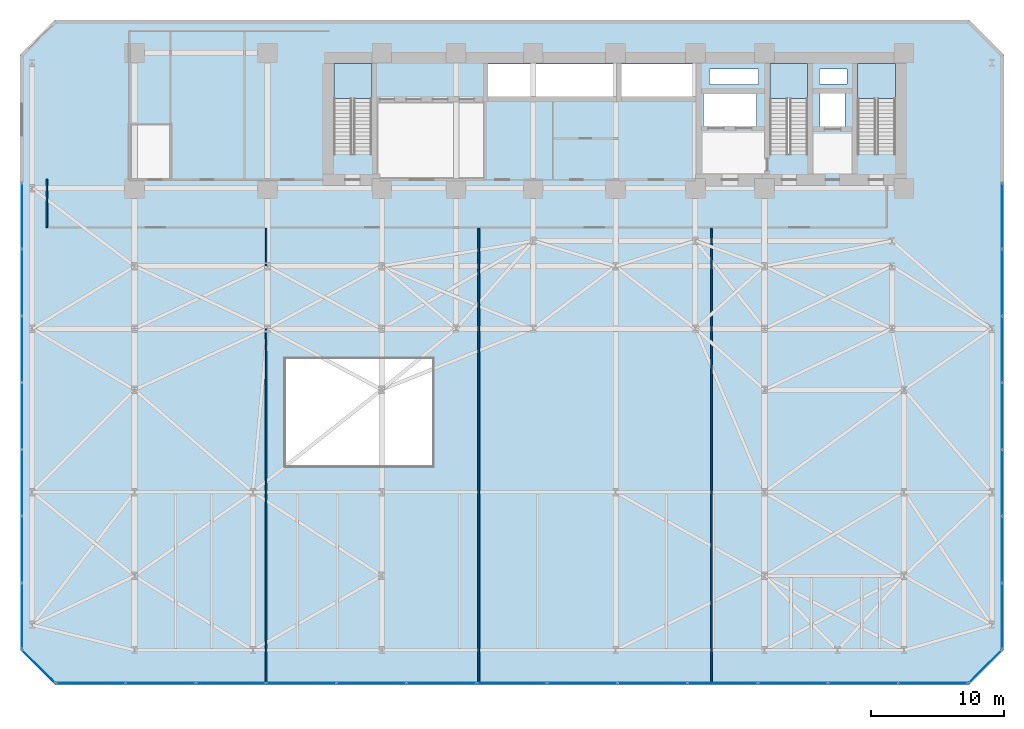
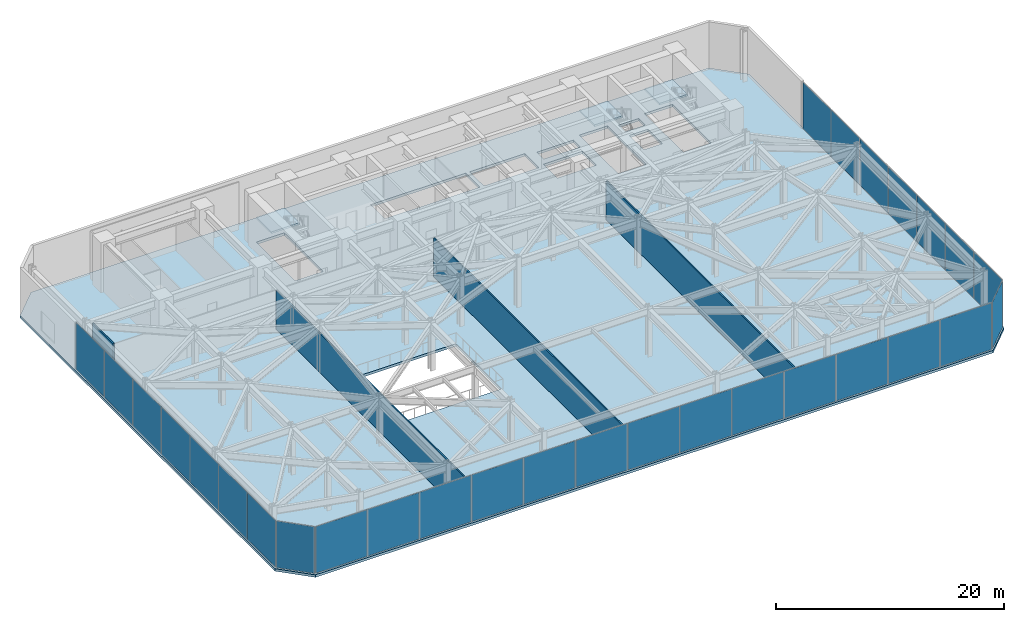
# One storey, part 24 of 29: 29 plates, 4 slabs, 4 walls, 8 elements without a shape of their own.
"""IFC4 building model written with IfcOpenShell, lengths in metres."""

from ifc_helpers import new_model, si_unit, direction, frame, frame_2d, origin, origin_2d, place, context, subcontext, project, spatial, polyline, rectangle, outline, extrude, material, layer, layer_set, type_object, element, aggregate, save


model = new_model("IFC4")

# Units and contexts
model_context = context("Model", 3, precision=1e-05, world=origin(), true_north=direction((0.0, 1.0)))
body_context = subcontext(model_context, "Body", "Model", "MODEL_VIEW")
ifc_project = project(units=[si_unit("LENGTHUNIT", "METRE"), si_unit("AREAUNIT", "SQUARE_METRE"), si_unit("VOLUMEUNIT", "CUBIC_METRE"), si_unit("PLANEANGLEUNIT", "RADIAN"), si_unit("MASSUNIT", "GRAM", prefix="KILO")], contexts=[model_context])

# Site, building, storey
site_placement = place(None, origin())
site = spatial("IfcSite", under=ifc_project, at=site_placement, CompositionType="ELEMENT")
building_placement = place(site_placement, origin())
building = spatial("IfcBuilding", under=site, at=building_placement, Name="Kravanh Interchange Tower", CompositionType="ELEMENT")
storey_placement = place(building_placement, frame((0.0, 0.0, 5.39990234375)))
storey = spatial("IfcBuildingStorey", under=building, at=storey_placement, Name="L01", CompositionType="ELEMENT", Elevation=5.39990234375)

# Slab
ifc_material_1 = material(Name="Concrete C50/60", Category="concrete")
ifc_layer_1 = layer(ifc_material_1, 0.27001953125)
ifc_layer_set_1 = layer_set([ifc_layer_1], Name="Composite Floor Slab Concrete C50/60 270mm")
slab_type_1 = type_object("IfcSlabType", Name="Composite Floor Slab Concrete C50/60 270mm", PredefinedType="FLOOR", material=ifc_layer_set_1)
slab_1_placement = place(storey_placement, frame((0.0, 0.0, -0.27001953125)))
element("IfcSlab", 1, at=slab_1_placement, inside=storey, type_object=slab_type_1, Name="L01 Structural Floor Slab", PredefinedType="FLOOR", context=body_context, shape_type="SweptSolid", body=[
    extrude(outline(polyline([(0.0, 2.60009765625), (2.60009765625, 0.0), (71.39990234375, 0.0), (74.0, 2.60009765625), (74.0, 47.39990234375), (71.39990234375, 50.0), (2.60009765625, 50.0), (0.0, 47.39990234375), (0.0, 2.60009765625)]), holes=[polyline([(65.85009765625, 39.925048828125), (65.85009765625, 46.75), (63.0, 46.75), (63.0, 39.925048828125), (65.85009765625, 39.925048828125)]), polyline([(59.25, 39.925048828125), (59.25, 46.75), (56.39990234375, 46.75), (56.39990234375, 39.925048828125), (59.25, 39.925048828125)]), polyline([(26.449951171875, 39.925048828125), (26.449951171875, 46.75), (23.60009765625, 46.75), (23.60009765625, 39.925048828125), (26.449951171875, 39.925048828125)]), polyline([(35.179931640625, 44.219970703125), (44.840087890625, 44.219970703125), (44.840087890625, 46.699951171875), (35.179931640625, 46.699951171875), (35.179931640625, 44.219970703125)]), polyline([(45.239990234375, 44.219970703125), (50.840087890625, 44.219970703125), (50.840087890625, 46.699951171875), (45.239990234375, 46.699951171875), (45.239990234375, 44.219970703125)]), polyline([(51.419921875, 42.02001953125), (55.3798828125, 42.02001953125), (55.3798828125, 44.47998046875), (51.419921875, 44.47998046875), (51.419921875, 42.02001953125)]), polyline([(60.179931640625, 41.97998046875), (62.06005859375, 41.97998046875), (62.06005859375, 44.52001953125), (60.179931640625, 44.52001953125), (60.179931640625, 41.97998046875)]), polyline([(20.0, 16.5), (31.0, 16.5), (31.0, 24.5), (20.0, 24.5), (20.0, 16.5)]), polyline([(60.14990234375, 45.199951171875), (62.199951171875, 45.199951171875), (62.199951171875, 46.35009765625), (60.14990234375, 46.35009765625), (60.14990234375, 45.199951171875)]), polyline([(51.85009765625, 45.14990234375), (55.550048828125, 45.14990234375), (55.550048828125, 46.35009765625), (51.85009765625, 46.35009765625), (51.85009765625, 45.14990234375)])]), origin(), (0.0, 0.0, 1.0), 0.27001953125),
])

# Stair, slab
ifc_material_2 = material(Name="Concrete C50/60", Category="concrete")
stair_type = type_object("IfcStairType", Name="Core Fire Exit Dogleg Stair Concrete C50/60", PredefinedType="HALF_TURN_STAIR", material=ifc_material_2)
stair_1_placement = place(storey_placement, origin())
stair_1 = element("IfcStair", 2, at=stair_1_placement, inside=storey, type_object=stair_type, Name="L01 Exit Stair ST1", PredefinedType="HALF_TURN_STAIR")
ifc_material_3 = material(Name="Concrete C50/60", Category="concrete")
ifc_layer_2 = layer(ifc_material_3, 0.199951171875)
ifc_layer_set_2 = layer_set([ifc_layer_2], Name="Concrete C50/60 Stair Half-Landing Slab 200mm")
slab_type_2 = type_object("IfcSlabType", Name="Concrete C50/60 Stair Half-Landing Slab 200mm", PredefinedType="LANDING", material=ifc_layer_set_2)
slab_2_placement = place(storey_placement, frame((0.0, 0.0, 2.5)))
slab_2 = element("IfcSlab", 3, at=slab_2_placement, type_object=slab_type_2, Name="ST1 landing 1", PredefinedType="LANDING", context=body_context, shape_type="SweptSolid", body=[
    extrude(outline(polyline([(65.85009765625, 44.10009765625), (65.85009765625, 46.75), (63.0, 46.75), (63.0, 44.10009765625), (65.85009765625, 44.10009765625)])), origin(), (0.0, 0.0, 1.0), 0.2001953125),
])
aggregate(stair_1, [slab_2])

stair_2_placement = place(storey_placement, origin())
stair_2 = element("IfcStair", 4, at=stair_2_placement, inside=storey, type_object=stair_type, Name="L01 Exit Stair ST2", PredefinedType="HALF_TURN_STAIR")
slab_3_placement = place(storey_placement, frame((0.0, 0.0, 2.5)))
slab_3 = element("IfcSlab", 5, at=slab_3_placement, type_object=slab_type_2, Name="ST2 landing 1", PredefinedType="LANDING", context=body_context, shape_type="SweptSolid", body=[
    extrude(outline(polyline([(59.25, 44.10009765625), (59.25, 46.75), (56.39990234375, 46.75), (56.39990234375, 44.10009765625), (59.25, 44.10009765625)])), origin(), (0.0, 0.0, 1.0), 0.2001953125),
])
aggregate(stair_2, [slab_3])

stair_3_placement = place(storey_placement, origin())
stair_3 = element("IfcStair", 6, at=stair_3_placement, inside=storey, type_object=stair_type, Name="L01 Exit Stair ST3", PredefinedType="HALF_TURN_STAIR")
slab_4_placement = place(storey_placement, frame((0.0, 0.0, 2.5)))
slab_4 = element("IfcSlab", 7, at=slab_4_placement, type_object=slab_type_2, Name="ST3 landing 1", PredefinedType="LANDING", context=body_context, shape_type="SweptSolid", body=[
    extrude(outline(polyline([(26.449951171875, 44.10009765625), (26.449951171875, 46.75), (23.60009765625, 46.75), (23.60009765625, 44.10009765625), (26.449951171875, 44.10009765625)])), origin(), (0.0, 0.0, 1.0), 0.2001953125),
])
aggregate(stair_3, [slab_4])

# Curtain wall, plates
ifc_material_4 = material(Name="Anodised Bronze Aluminium", Category="aluminium")
ifc_layer_3 = layer(ifc_material_4, 0.179931640625)
ifc_layer_set_3 = layer_set([ifc_layer_3], Name="Unitised Curtain Wall System CW-POD Podium Concourse")
curtain_wall_type = type_object("IfcCurtainWallType", Name="Unitised Curtain Wall System CW-POD Podium Concourse", PredefinedType="NOTDEFINED", material=ifc_layer_set_3)
curtain_wall_1_placement = place(storey_placement, origin())
curtain_wall_1 = element("IfcCurtainWall", 8, at=curtain_wall_1_placement, inside=storey, type_object=curtain_wall_type, Name="L01 Unitised Curtain Wall CW-L01-01", PredefinedType="NOTDEFINED")
ifc_material_5 = material(Name="Low-E Laminated Architectural Glass", Category="glass")
ifc_layer_4 = layer(ifc_material_5, 0.031982421875)
ifc_layer_set_4 = layer_set([ifc_layer_4], Name="Low-E Laminated Glazing 32mm")
plate_type = type_object("IfcPlateType", Name="Low-E Laminated Glazing 32mm", PredefinedType="CURTAIN_PANEL", material=ifc_layer_set_4)
plate_1_placement = place(storey_placement, frame((0.1201171875, 5.177978515625, 0.06005859375), z_axis=(0.0, 0.0, 1.0), x_axis=(0.0, 1.0, 0.0)))
plate_1 = element("IfcPlate", 9, at=plate_1_placement, type_object=plate_type, Name="CW-POD panel 1.1", PredefinedType="CURTAIN_PANEL", context=body_context, shape_type="SweptSolid", body=[
    extrude(rectangle(XDim=4.91650390625, YDim=0.031982421875, at=origin_2d()), origin(), (0.0, 0.0, 1.0), 5.010009765625),
])
plate_2_placement = place(storey_placement, frame((0.1201171875, 10.181884765625, 0.06005859375), z_axis=(0.0, 0.0, 1.0), x_axis=(0.0, 1.0, 0.0)))
plate_2 = element("IfcPlate", 10, at=plate_2_placement, type_object=plate_type, Name="CW-POD panel 2.1", PredefinedType="CURTAIN_PANEL", context=body_context, shape_type="SweptSolid", body=[
    extrude(rectangle(XDim=4.951416015625, YDim=0.031982421875, at=origin_2d()), origin(), (0.0, 0.0, 1.0), 5.010009765625),
])
plate_3_placement = place(storey_placement, frame((0.1201171875, 15.203369140625, 0.06005859375), z_axis=(0.0, 0.0, 1.0), x_axis=(0.0, 1.0, 0.0)))
plate_3 = element("IfcPlate", 11, at=plate_3_placement, type_object=plate_type, Name="CW-POD panel 3.1", PredefinedType="CURTAIN_PANEL", context=body_context, shape_type="SweptSolid", body=[
    extrude(rectangle(XDim=4.951416015625, YDim=0.031982421875, at=origin_2d()), origin(), (0.0, 0.0, 1.0), 5.010009765625),
])
plate_4_placement = place(storey_placement, frame((0.1201171875, 20.224853515625, 0.06005859375), z_axis=(0.0, 0.0, 1.0), x_axis=(0.0, 1.0, 0.0)))
plate_4 = element("IfcPlate", 12, at=plate_4_placement, type_object=plate_type, Name="CW-POD panel 4.1", PredefinedType="CURTAIN_PANEL", context=body_context, shape_type="SweptSolid", body=[
    extrude(rectangle(XDim=4.951416015625, YDim=0.031982421875, at=origin_2d()), origin(), (0.0, 0.0, 1.0), 5.010009765625),
])
plate_5_placement = place(storey_placement, frame((0.1201171875, 25.246337890625, 0.06005859375), z_axis=(0.0, 0.0, 1.0), x_axis=(0.0, 1.0, 0.0)))
plate_5 = element("IfcPlate", 13, at=plate_5_placement, type_object=plate_type, Name="CW-POD panel 5.1", PredefinedType="CURTAIN_PANEL", context=body_context, shape_type="SweptSolid", body=[
    extrude(rectangle(XDim=4.951416015625, YDim=0.031982421875, at=origin_2d()), origin(), (0.0, 0.0, 1.0), 5.010009765625),
])
plate_6_placement = place(storey_placement, frame((0.1201171875, 30.267822265625, 0.06005859375), z_axis=(0.0, 0.0, 1.0), x_axis=(0.0, 1.0, 0.0)))
plate_6 = element("IfcPlate", 14, at=plate_6_placement, type_object=plate_type, Name="CW-POD panel 6.1", PredefinedType="CURTAIN_PANEL", context=body_context, shape_type="SweptSolid", body=[
    extrude(rectangle(XDim=4.951416015625, YDim=0.031982421875, at=origin_2d()), origin(), (0.0, 0.0, 1.0), 5.010009765625),
])
plate_7_placement = place(storey_placement, frame((0.1201171875, 35.271728515625, 0.06005859375), z_axis=(0.0, 0.0, 1.0), x_axis=(0.0, 1.0, 0.0)))
plate_7 = element("IfcPlate", 15, at=plate_7_placement, type_object=plate_type, Name="CW-POD panel 7.1", PredefinedType="CURTAIN_PANEL", context=body_context, shape_type="SweptSolid", body=[
    extrude(rectangle(XDim=4.91650390625, YDim=0.031982421875, at=origin_2d()), origin(), (0.0, 0.0, 1.0), 5.010009765625),
])
aggregate(curtain_wall_1, [plate_1, plate_2, plate_3, plate_4, plate_5, plate_6, plate_7])

curtain_wall_2_placement = place(storey_placement, origin())
curtain_wall_2 = element("IfcCurtainWall", 16, at=curtain_wall_2_placement, inside=storey, type_object=curtain_wall_type, Name="L01 Unitised Curtain Wall CW-L01-02", PredefinedType="NOTDEFINED")
plate_8_placement = place(storey_placement, frame((73.8798828125, 35.271728515625, 0.06005859375), z_axis=(0.0, 0.0, 1.0), x_axis=(0.0, -1.0, 0.0)))
plate_8 = element("IfcPlate", 17, at=plate_8_placement, type_object=plate_type, Name="CW-POD panel 1.1", PredefinedType="CURTAIN_PANEL", context=body_context, shape_type="SweptSolid", body=[
    extrude(rectangle(XDim=4.91650390625, YDim=0.031982421875, at=origin_2d()), origin(), (0.0, 0.0, 1.0), 5.010009765625),
])
plate_9_placement = place(storey_placement, frame((73.8798828125, 30.267822265625, 0.06005859375), z_axis=(0.0, 0.0, 1.0), x_axis=(0.0, -1.0, 0.0)))
plate_9 = element("IfcPlate", 18, at=plate_9_placement, type_object=plate_type, Name="CW-POD panel 2.1", PredefinedType="CURTAIN_PANEL", context=body_context, shape_type="SweptSolid", body=[
    extrude(rectangle(XDim=4.951416015625, YDim=0.031982421875, at=origin_2d()), origin(), (0.0, 0.0, 1.0), 5.010009765625),
])
plate_10_placement = place(storey_placement, frame((73.8798828125, 25.246337890625, 0.06005859375), z_axis=(0.0, 0.0, 1.0), x_axis=(0.0, -1.0, 0.0)))
plate_10 = element("IfcPlate", 19, at=plate_10_placement, type_object=plate_type, Name="CW-POD panel 3.1", PredefinedType="CURTAIN_PANEL", context=body_context, shape_type="SweptSolid", body=[
    extrude(rectangle(XDim=4.951416015625, YDim=0.031982421875, at=origin_2d()), origin(), (0.0, 0.0, 1.0), 5.010009765625),
])
plate_11_placement = place(storey_placement, frame((73.8798828125, 20.224853515625, 0.06005859375), z_axis=(0.0, 0.0, 1.0), x_axis=(0.0, -1.0, 0.0)))
plate_11 = element("IfcPlate", 20, at=plate_11_placement, type_object=plate_type, Name="CW-POD panel 4.1", PredefinedType="CURTAIN_PANEL", context=body_context, shape_type="SweptSolid", body=[
    extrude(rectangle(XDim=4.951416015625, YDim=0.031982421875, at=origin_2d()), origin(), (0.0, 0.0, 1.0), 5.010009765625),
])
plate_12_placement = place(storey_placement, frame((73.8798828125, 15.203369140625, 0.06005859375), z_axis=(0.0, 0.0, 1.0), x_axis=(0.0, -1.0, 0.0)))
plate_12 = element("IfcPlate", 21, at=plate_12_placement, type_object=plate_type, Name="CW-POD panel 5.1", PredefinedType="CURTAIN_PANEL", context=body_context, shape_type="SweptSolid", body=[
    extrude(rectangle(XDim=4.951416015625, YDim=0.031982421875, at=origin_2d()), origin(), (0.0, 0.0, 1.0), 5.010009765625),
])
plate_13_placement = place(storey_placement, frame((73.8798828125, 10.181884765625, 0.06005859375), z_axis=(0.0, 0.0, 1.0), x_axis=(0.0, -1.0, 0.0)))
plate_13 = element("IfcPlate", 22, at=plate_13_placement, type_object=plate_type, Name="CW-POD panel 6.1", PredefinedType="CURTAIN_PANEL", context=body_context, shape_type="SweptSolid", body=[
    extrude(rectangle(XDim=4.951416015625, YDim=0.031982421875, at=origin_2d()), origin(), (0.0, 0.0, 1.0), 5.010009765625),
])
plate_14_placement = place(storey_placement, frame((73.8798828125, 5.177978515625, 0.06005859375), z_axis=(0.0, 0.0, 1.0), x_axis=(0.0, -1.0, 0.0)))
plate_14 = element("IfcPlate", 23, at=plate_14_placement, type_object=plate_type, Name="CW-POD panel 7.1", PredefinedType="CURTAIN_PANEL", context=body_context, shape_type="SweptSolid", body=[
    extrude(rectangle(XDim=4.91650390625, YDim=0.031982421875, at=origin_2d()), origin(), (0.0, 0.0, 1.0), 5.010009765625),
])
aggregate(curtain_wall_2, [plate_8, plate_9, plate_10, plate_11, plate_12, plate_13, plate_14])

# Curtain wall, plate
curtain_wall_3_placement = place(storey_placement, origin())
curtain_wall_3 = element("IfcCurtainWall", 24, at=curtain_wall_3_placement, inside=storey, type_object=curtain_wall_type, Name="L01 Unitised Curtain Wall CW-L01-03", PredefinedType="NOTDEFINED")
plate_15_placement = place(storey_placement, frame((72.615234375, 1.384765625, 0.06005859375), z_axis=(0.0, 0.0, 1.0), x_axis=(-0.707106781187, -0.707106781187, 0.0)))
plate_15 = element("IfcPlate", 25, at=plate_15_placement, type_object=plate_type, Name="CW-POD panel 1.1", PredefinedType="CURTAIN_PANEL", context=body_context, shape_type="SweptSolid", body=[
    extrude(rectangle(XDim=3.4375, YDim=0.031982421875, at=origin_2d()), origin(), (0.0, 0.0, 1.0), 5.010009765625),
])
aggregate(curtain_wall_3, [plate_15])

# Curtain wall, plates
curtain_wall_4_placement = place(storey_placement, origin())
curtain_wall_4 = element("IfcCurtainWall", 26, at=curtain_wall_4_placement, inside=storey, type_object=curtain_wall_type, Name="L01 Unitised Curtain Wall CW-L01-04", PredefinedType="NOTDEFINED")
plate_16_placement = place(storey_placement, frame((68.6904296875, 0.1201171875, 0.06005859375), z_axis=(0.0, 0.0, 1.0), x_axis=(-1.0, 0.0, 0.0)))
plate_16 = element("IfcPlate", 27, at=plate_16_placement, type_object=plate_type, Name="CW-POD panel 1.1", PredefinedType="CURTAIN_PANEL", context=body_context, shape_type="SweptSolid", body=[
    extrude(rectangle(XDim=5.1796875, YDim=0.031982421875, at=origin_2d()), origin(), (0.0, 0.0, 1.0), 5.010009765625),
])
plate_17_placement = place(storey_placement, frame((63.42333984375, 0.1201171875, 0.06005859375), z_axis=(0.0, 0.0, 1.0), x_axis=(-1.0, 0.0, 0.0)))
plate_17 = element("IfcPlate", 28, at=plate_17_placement, type_object=plate_type, Name="CW-POD panel 2.1", PredefinedType="CURTAIN_PANEL", context=body_context, shape_type="SweptSolid", body=[
    extrude(rectangle(XDim=5.214599609375, YDim=0.031982421875, at=origin_2d()), origin(), (0.0, 0.0, 1.0), 5.010009765625),
])
plate_18_placement = place(storey_placement, frame((58.138671875, 0.1201171875, 0.06005859375), z_axis=(0.0, 0.0, 1.0), x_axis=(-1.0, 0.0, 0.0)))
plate_18 = element("IfcPlate", 29, at=plate_18_placement, type_object=plate_type, Name="CW-POD panel 3.1", PredefinedType="CURTAIN_PANEL", context=body_context, shape_type="SweptSolid", body=[
    extrude(rectangle(XDim=5.214599609375, YDim=0.031982421875, at=origin_2d()), origin(), (0.0, 0.0, 1.0), 5.010009765625),
])
plate_19_placement = place(storey_placement, frame((52.85400390625, 0.1201171875, 0.06005859375), z_axis=(0.0, 0.0, 1.0), x_axis=(-1.0, 0.0, 0.0)))
plate_19 = element("IfcPlate", 30, at=plate_19_placement, type_object=plate_type, Name="CW-POD panel 4.1", PredefinedType="CURTAIN_PANEL", context=body_context, shape_type="SweptSolid", body=[
    extrude(rectangle(XDim=5.214599609375, YDim=0.031982421875, at=origin_2d()), origin(), (0.0, 0.0, 1.0), 5.010009765625),
])
plate_20_placement = place(storey_placement, frame((47.5693359375, 0.1201171875, 0.06005859375), z_axis=(0.0, 0.0, 1.0), x_axis=(-1.0, 0.0, 0.0)))
plate_20 = element("IfcPlate", 31, at=plate_20_placement, type_object=plate_type, Name="CW-POD panel 5.1", PredefinedType="CURTAIN_PANEL", context=body_context, shape_type="SweptSolid", body=[
    extrude(rectangle(XDim=5.214599609375, YDim=0.031982421875, at=origin_2d()), origin(), (0.0, 0.0, 1.0), 5.010009765625),
])
plate_21_placement = place(storey_placement, frame((42.28466796875, 0.1201171875, 0.06005859375), z_axis=(0.0, 0.0, 1.0), x_axis=(-1.0, 0.0, 0.0)))
plate_21 = element("IfcPlate", 32, at=plate_21_placement, type_object=plate_type, Name="CW-POD panel 6.1", PredefinedType="CURTAIN_PANEL", context=body_context, shape_type="SweptSolid", body=[
    extrude(rectangle(XDim=5.214599609375, YDim=0.031982421875, at=origin_2d()), origin(), (0.0, 0.0, 1.0), 5.010009765625),
])
plate_22_placement = place(storey_placement, frame((37.0, 0.1201171875, 0.06005859375), z_axis=(0.0, 0.0, 1.0), x_axis=(-1.0, 0.0, 0.0)))
plate_22 = element("IfcPlate", 33, at=plate_22_placement, type_object=plate_type, Name="CW-POD panel 7.1", PredefinedType="CURTAIN_PANEL", context=body_context, shape_type="SweptSolid", body=[
    extrude(rectangle(XDim=5.214599609375, YDim=0.031982421875, at=origin_2d()), origin(), (0.0, 0.0, 1.0), 5.010009765625),
])
plate_23_placement = place(storey_placement, frame((31.71533203125, 0.1201171875, 0.06005859375), z_axis=(0.0, 0.0, 1.0), x_axis=(-1.0, 0.0, 0.0)))
plate_23 = element("IfcPlate", 34, at=plate_23_placement, type_object=plate_type, Name="CW-POD panel 8.1", PredefinedType="CURTAIN_PANEL", context=body_context, shape_type="SweptSolid", body=[
    extrude(rectangle(XDim=5.214599609375, YDim=0.031982421875, at=origin_2d()), origin(), (0.0, 0.0, 1.0), 5.010009765625),
])
plate_24_placement = place(storey_placement, frame((26.4306640625, 0.1201171875, 0.06005859375), z_axis=(0.0, 0.0, 1.0), x_axis=(-1.0, 0.0, 0.0)))
plate_24 = element("IfcPlate", 35, at=plate_24_placement, type_object=plate_type, Name="CW-POD panel 9.1", PredefinedType="CURTAIN_PANEL", context=body_context, shape_type="SweptSolid", body=[
    extrude(rectangle(XDim=5.214599609375, YDim=0.031982421875, at=origin_2d()), origin(), (0.0, 0.0, 1.0), 5.010009765625),
])
plate_25_placement = place(storey_placement, frame((21.14599609375, 0.1201171875, 0.06005859375), z_axis=(0.0, 0.0, 1.0), x_axis=(-1.0, 0.0, 0.0)))
plate_25 = element("IfcPlate", 36, at=plate_25_placement, type_object=plate_type, Name="CW-POD panel 10.1", PredefinedType="CURTAIN_PANEL", context=body_context, shape_type="SweptSolid", body=[
    extrude(rectangle(XDim=5.214599609375, YDim=0.031982421875, at=origin_2d()), origin(), (0.0, 0.0, 1.0), 5.010009765625),
])
plate_26_placement = place(storey_placement, frame((15.861328125, 0.1201171875, 0.06005859375), z_axis=(0.0, 0.0, 1.0), x_axis=(-1.0, 0.0, 0.0)))
plate_26 = element("IfcPlate", 37, at=plate_26_placement, type_object=plate_type, Name="CW-POD panel 11.1", PredefinedType="CURTAIN_PANEL", context=body_context, shape_type="SweptSolid", body=[
    extrude(rectangle(XDim=5.214599609375, YDim=0.031982421875, at=origin_2d()), origin(), (0.0, 0.0, 1.0), 5.010009765625),
])
plate_27_placement = place(storey_placement, frame((10.57666015625, 0.1201171875, 0.06005859375), z_axis=(0.0, 0.0, 1.0), x_axis=(-1.0, 0.0, 0.0)))
plate_27 = element("IfcPlate", 38, at=plate_27_placement, type_object=plate_type, Name="CW-POD panel 12.1", PredefinedType="CURTAIN_PANEL", context=body_context, shape_type="SweptSolid", body=[
    extrude(rectangle(XDim=5.214599609375, YDim=0.031982421875, at=origin_2d()), origin(), (0.0, 0.0, 1.0), 5.010009765625),
])
plate_28_placement = place(storey_placement, frame((5.3095703125, 0.1201171875, 0.06005859375), z_axis=(0.0, 0.0, 1.0), x_axis=(-1.0, 0.0, 0.0)))
plate_28 = element("IfcPlate", 39, at=plate_28_placement, type_object=plate_type, Name="CW-POD panel 13.1", PredefinedType="CURTAIN_PANEL", context=body_context, shape_type="SweptSolid", body=[
    extrude(rectangle(XDim=5.1796875, YDim=0.031982421875, at=origin_2d()), origin(), (0.0, 0.0, 1.0), 5.010009765625),
])
aggregate(curtain_wall_4, [plate_16, plate_17, plate_18, plate_19, plate_20, plate_21, plate_22, plate_23, plate_24, plate_25, plate_26, plate_27, plate_28])

# Curtain wall, plate
curtain_wall_5_placement = place(storey_placement, origin())
curtain_wall_5 = element("IfcCurtainWall", 40, at=curtain_wall_5_placement, inside=storey, type_object=curtain_wall_type, Name="L01 Unitised Curtain Wall CW-L01-05", PredefinedType="NOTDEFINED")
plate_29_placement = place(storey_placement, frame((1.384765625, 1.384765625, 0.06005859375), z_axis=(0.0, 0.0, 1.0), x_axis=(-0.707106781187, 0.707106781187, 0.0)))
plate_29 = element("IfcPlate", 41, at=plate_29_placement, type_object=plate_type, Name="CW-POD panel 1.1", PredefinedType="CURTAIN_PANEL", context=body_context, shape_type="SweptSolid", body=[
    extrude(rectangle(XDim=3.4375, YDim=0.031982421875, at=origin_2d()), origin(), (0.0, 0.0, 1.0), 5.010009765625),
])
aggregate(curtain_wall_5, [plate_29])

# Walls
ifc_material_6 = material(Name="Double Acoustic Gypsum Board and Mineral Wool")
ifc_layer_5 = layer(ifc_material_6, 0.1201171875)
ifc_layer_set_5 = layer_set([ifc_layer_5], Name="Acoustic Office Drywall Partition 120mm")
wall_type = type_object("IfcWallType", Name="Acoustic Office Drywall Partition 120mm", PredefinedType="PARTITIONING", material=ifc_layer_set_5)
wall_placement = place(storey_placement, frame((2.0, 34.39990234375, 0.0), z_axis=(0.0, 0.0, 1.0), x_axis=(0.0, 1.0, 0.0)))
element("IfcWall", 42, at=wall_placement, inside=storey, type_object=wall_type, Name="L01 Interior Partition 8", PredefinedType="PARTITIONING", context=body_context, shape_type="SweptSolid", body=[
    extrude(rectangle(XDim=3.650146484375, YDim=0.1201171875, at=frame_2d((1.8251953125, 0.0))), origin(), (0.0, 0.0, 1.0), 4.18212890625),
])
for number, where, z_axis, x_axis, name in (
    (43, (18.5, 0.199951171875, 0.0), (0.0, 0.0, 1.0), (0.0, 1.0, 0.0), "L01 Interior Partition 16"),
    (44, (34.5, 0.199951171875, 0.0), (0.0, 0.0, 1.0), (0.0, 1.0, 0.0), "L01 Interior Partition 17"),
    (45, (52.0, 0.199951171875, 0.0), (0.0, 0.0, 1.0), (0.0, 1.0, 0.0), "L01 Interior Partition 18"),
):
    element("IfcWall", number, at=place(storey_placement, frame(where, z_axis=z_axis, x_axis=x_axis)), inside=storey, type_object=wall_type, Name=name, PredefinedType="PARTITIONING", context=body_context, shape_type="SweptSolid", body=[
        extrude(rectangle(XDim=34.132080078125, YDim=0.1201171875, at=frame_2d((17.06591796875, 0.0))), origin(), (0.0, 0.0, 1.0), 4.18212890625),
    ])

save(model, "model.ifc")
